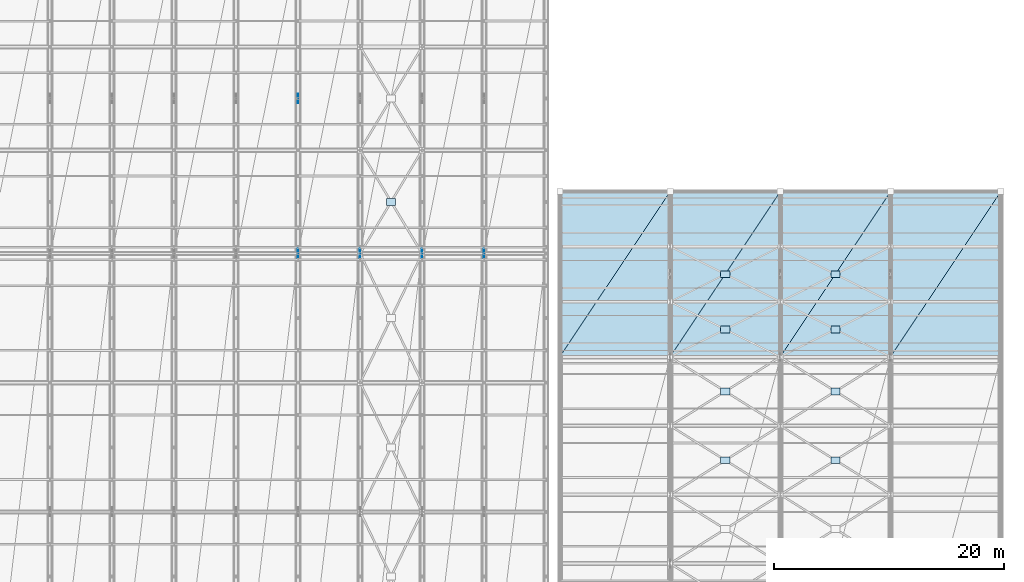
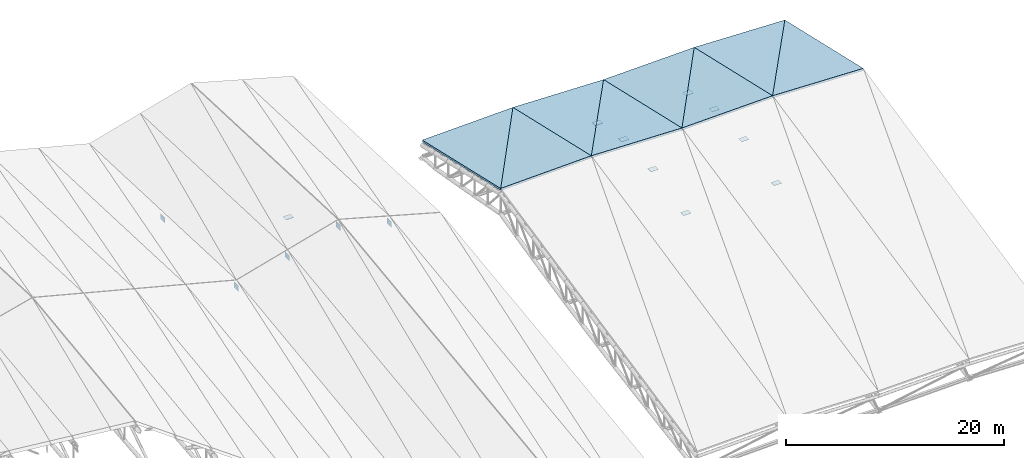
# One storey, part 103 of 109: 14 plates, 8 slabs.
"""IFC4 building model written with IfcOpenShell, lengths in metres."""

from ifc_helpers import new_model, si_unit, direction, frame, origin, origin_2d, place, context, subcontext, project, spatial, polyline, rectangle, outline, extrude, material, layer, layer_set, type_object, element, save


model = new_model("IFC4")

# Units and contexts
model_context = context("Model", 3, precision=1e-05, world=origin(), true_north=direction((0.0, 1.0)))
body_context = subcontext(model_context, "Body", "Model", "MODEL_VIEW")
ifc_project = project(units=[si_unit("LENGTHUNIT", "METRE"), si_unit("AREAUNIT", "SQUARE_METRE"), si_unit("VOLUMEUNIT", "CUBIC_METRE"), si_unit("PLANEANGLEUNIT", "RADIAN"), si_unit("MASSUNIT", "GRAM", prefix="KILO")], contexts=[model_context])

# Site, building, storey
site_placement = place(None, origin())
site = spatial("IfcSite", under=ifc_project, at=site_placement, CompositionType="ELEMENT")
building_placement = place(site_placement, origin())
building = spatial("IfcBuilding", under=site, at=building_placement, Name="Suirenkawa Promenade Aquatics Centre", CompositionType="ELEMENT")
storey_placement = place(building_placement, frame((0.0, 0.0, 22.800048828125)))
storey = spatial("IfcBuildingStorey", under=building, at=storey_placement, Name="ROOF", CompositionType="ELEMENT", Elevation=22.800048828125)

# Plates
ifc_material_1 = material(Name="Steel IS 2062 E350 (Grade 350)", Category="steel")
ifc_layer_1 = layer(ifc_material_1, 0.02392578125, Name="Steel IS 2062 E350 (Grade 350)", Category="steel")
ifc_layer_set_1 = layer_set([ifc_layer_1], Name="Steel IS 2062 E350 (Grade 350)")
plate_type = type_object("IfcPlateType", Name="PLT-GUSSET-800x600x24", PredefinedType="USERDEFINED", material=ifc_layer_set_1)
for number, where, z_axis, x_axis, name in (
    (1, (133.199951171875, 95.39990234375, -9.66015625), (0.0, 0.0, 1.0), (0.0, 1.0, 0.0), "Truss node plate TN-04 PLG-0065"),
    (2, (133.199951171875, 108.89990234375, -10.210205078125), (0.0, 0.0, 1.0), (0.0, 1.0, 0.0), "Truss node plate TN-04 PLG-0066"),
    (3, (138.60009765625, 95.39990234375, -8.16015625), (0.0, 0.0, 1.0), (0.0, 1.0, 0.0), "Truss node plate TN-04 PLG-0068"),
    (4, (144.0, 95.39990234375, -6.66015625), (0.0, 0.0, 1.0), (0.0, 1.0, 0.0), "Truss node plate TN-04 PLG-0073"),
    (5, (149.39990234375, 95.39990234375, -8.16015625), (0.0, 0.0, 1.0), (0.0, 1.0, 0.0), "Truss node plate TN-04 PLG-0076"),
):
    element("IfcPlate", number, at=place(storey_placement, frame(where, z_axis=z_axis, x_axis=x_axis)), inside=storey, type_object=plate_type, Name=name, ObjectType="GUSSET", PredefinedType="USERDEFINED", context=body_context, shape_type="SweptSolid", body=[
        extrude(rectangle(XDim=0.800048828125, YDim=0.02392578125, at=origin_2d()), origin(), (0.0, 0.0, 1.0), 0.60009765625),
    ])
for number, where, z_axis, x_axis, name in (
    (6, (141.300048828125, 99.89990234375, -7.14599609375), (0.0, 0.0, 1.0), (1.0, 0.0, 0.0), "Truss node plate TN-04 PLG-0125"),
    (7, (170.39990234375, 77.39990234375, -3.217041015625), (0.0, 0.0, 1.0), (1.0, 0.0, 0.0), "Truss node plate TN-04 PLG-0161"),
    (8, (170.39990234375, 83.39990234375, -1.950927734375), (0.0, 0.0, 1.0), (1.0, 0.0, 0.0), "Truss node plate TN-04 PLG-0164"),
    (9, (170.39990234375, 88.800048828125, -1.866943359375), (0.0, 0.0, 1.0), (1.0, 0.0, 0.0), "Truss node plate TN-04 PLG-0167"),
    (10, (170.39990234375, 93.60009765625, -2.967041015625), (0.0, 0.0, 1.0), (1.0, 0.0, 0.0), "Truss node plate TN-04 PLG-0170"),
    (11, (180.0, 77.39990234375, -3.217041015625), (0.0, 0.0, 1.0), (1.0, 0.0, 0.0), "Truss node plate TN-04 PLG-0180"),
    (12, (180.0, 83.39990234375, -1.950927734375), (0.0, 0.0, 1.0), (1.0, 0.0, 0.0), "Truss node plate TN-04 PLG-0182"),
    (13, (180.0, 88.800048828125, -1.866943359375), (0.0, 0.0, 1.0), (1.0, 0.0, 0.0), "Truss node plate TN-04 PLG-0184"),
    (14, (180.0, 93.60009765625, -2.967041015625), (0.0, 0.0, 1.0), (1.0, 0.0, 0.0), "Truss node plate TN-04 PLG-0186"),
):
    element("IfcPlate", number, at=place(storey_placement, frame(where, z_axis=z_axis, x_axis=x_axis)), inside=storey, type_object=plate_type, Name=name, ObjectType="GUSSET", PredefinedType="USERDEFINED", context=body_context, shape_type="SweptSolid", body=[
        extrude(rectangle(XDim=0.800048828125, YDim=0.60009765625, at=origin_2d()), origin(), (0.0, 0.0, 1.0), 0.02392578125),
    ])

# Slabs
ifc_material_2 = material(Name="Concrete M35", Category="concrete")
ifc_layer_2 = layer(ifc_material_2, 0.2099609375, Name="Concrete M35", Category="concrete")
ifc_layer_set_2 = layer_set([ifc_layer_2], Name="Concrete M35")
slab_type = type_object("IfcSlabType", Name="SLT-ROOF-V2-210", PredefinedType="ROOF", material=ifc_layer_set_2)
slab_1_placement = place(storey_placement, frame((156.0, 86.422119140625, -0.900146484375), z_axis=(-0.030448550859, 0.223601315555, 0.974204977114), x_axis=(0.999511927284, 0.0, 0.031239513723)))
element("IfcSlab", 15, at=slab_1_placement, inside=storey, type_object=slab_type, Name="Folded roof facet SL-ROOF-02 SL-V2-RFN-01-1", PredefinedType="ROOF", context=body_context, shape_type="SweptSolid", body=[
    extrude(outline(polyline([(0.0, 0.0), (9.604785489993827, 0.0), (9.501693569339716, 14.751425572553963), (0.0, 0.0)])), origin(), (0.0, 0.0, -1.0), 0.219970703125),
])
slab_2_placement = place(storey_placement, frame((156.0, 86.422119140625, -0.900146484375), z_axis=(-0.030423911269, 0.223585768907, 0.974209315068), x_axis=(0.547116938216, 0.819409255007, -0.170972303972)))
element("IfcSlab", 16, at=slab_2_placement, inside=storey, type_object=slab_type, Name="Folded roof facet SL-ROOF-02 SL-V2-RFN-01-2", PredefinedType="ROOF", context=body_context, shape_type="SweptSolid", body=[
    extrude(outline(polyline([(0.0, 0.0), (17.54670160196014, 5.551115123125783e-16), (12.345583863863894, 8.074659877335039), (0.0, 0.0)])), origin(), (0.0, 0.0, -1.0), 0.219970703125),
])
slab_3_placement = place(storey_placement, frame((165.60009765625, 86.422119140625, -0.60009765625), z_axis=(0.025373904919, 0.223633013498, 0.974343081375), x_axis=(0.999661077831, 0.0, -0.026033237804)))
element("IfcSlab", 17, at=slab_3_placement, inside=storey, type_object=slab_type, Name="Folded roof facet SL-ROOF-02 SL-V2-RFN-02-1", PredefinedType="ROOF", context=body_context, shape_type="SweptSolid", body=[
    extrude(outline(polyline([(0.0, 0.0), (9.60310822189658, 0.0), (9.689019177804594, 14.751535637836424), (0.0, 0.0)])), origin(), (0.0, 0.0, -1.0), 0.219970703125),
])
slab_4_placement = place(storey_placement, frame((165.60009765625, 86.422119140625, -0.60009765625), z_axis=(0.025373904919, 0.223633013498, 0.974343081375), x_axis=(0.543933879004, 0.814662750243, -0.20114805154)))
element("IfcSlab", 18, at=slab_4_placement, inside=storey, type_object=slab_type, Name="Folded roof facet SL-ROOF-02 SL-V2-RFN-02-2", PredefinedType="ROOF", context=body_context, shape_type="SweptSolid", body=[
    extrude(outline(polyline([(0.0, 0.0), (17.64893470729107, -1.9984014443252818e-15), (12.376962133782104, 8.026580386791561), (0.0, 0.0)])), origin(), (0.0, 0.0, -1.0), 0.219970703125),
])
slab_5_placement = place(storey_placement, frame((175.199951171875, 86.422119140625, -0.85009765625), z_axis=(-0.025373260049, 0.22363301716, 0.974343097328), x_axis=(0.99966109506, 0.0, 0.0260325762)))
element("IfcSlab", 19, at=slab_5_placement, inside=storey, type_object=slab_type, Name="Folded roof facet SL-ROOF-02 SL-V2-RFN-03-1", PredefinedType="ROOF", context=body_context, shape_type="SweptSolid", body=[
    extrude(outline(polyline([(0.0, 0.0), (9.603352279779012, 6.938893903907228e-18), (9.517443507196711, 14.751535650551656), (0.0, 0.0)])), origin(), (0.0, 0.0, -1.0), 0.219970703125),
])
slab_6_placement = place(storey_placement, frame((175.199951171875, 86.422119140625, -0.85009765625), z_axis=(-0.025373260049, 0.22363301716, 0.974343097328), x_axis=(0.546848099518, 0.819006619114, -0.173739212331)))
element("IfcSlab", 20, at=slab_6_placement, inside=storey, type_object=slab_type, Name="Folded roof facet SL-ROOF-02 SL-V2-RFN-03-2", PredefinedType="ROOF", context=body_context, shape_type="SweptSolid", body=[
    extrude(outline(polyline([(0.0, 0.0), (17.555327822691815, 2.7755575615628914e-16), (12.348967467269471, 8.069584057373918), (0.0, 0.0)])), origin(), (0.0, 0.0, -1.0), 0.219970703125),
])
slab_7_placement = place(storey_placement, frame((184.800048828125, 86.422119140625, -0.60009765625), z_axis=(0.030449437124, 0.223585595037, 0.974208557482), x_axis=(0.999511902476, 0.0, -0.031240307422)))
element("IfcSlab", 21, at=slab_7_placement, inside=storey, type_object=slab_type, Name="Folded roof facet SL-ROOF-02 SL-V2-RFN-04-1", PredefinedType="ROOF", context=body_context, shape_type="SweptSolid", body=[
    extrude(outline(polyline([(0.0, 0.0), (9.604541468530233, 0.0), (9.707628381400554, 14.751370992647962), (0.0, 0.0)])), origin(), (0.0, 0.0, -1.0), 0.219970703125),
])
slab_8_placement = place(storey_placement, frame((184.800048828125, 86.422119140625, -0.60009765625), z_axis=(0.030424571751, 0.2236014789, 0.974205688788), x_axis=(0.543623224774, 0.814197475989, -0.203853524816)))
element("IfcSlab", 22, at=slab_8_placement, inside=storey, type_object=slab_type, Name="Folded roof facet SL-ROOF-02 SL-V2-RFN-04-2", PredefinedType="ROOF", context=body_context, shape_type="SweptSolid", body=[
    extrude(outline(polyline([(0.0, 0.0), (17.65902021500936, -1.2212453270876722e-15), (12.379200647188224, 8.023127551233227), (0.0, 0.0)])), origin(), (0.0, 0.0, -1.0), 0.219970703125),
])

save(model, "model.ifc")
